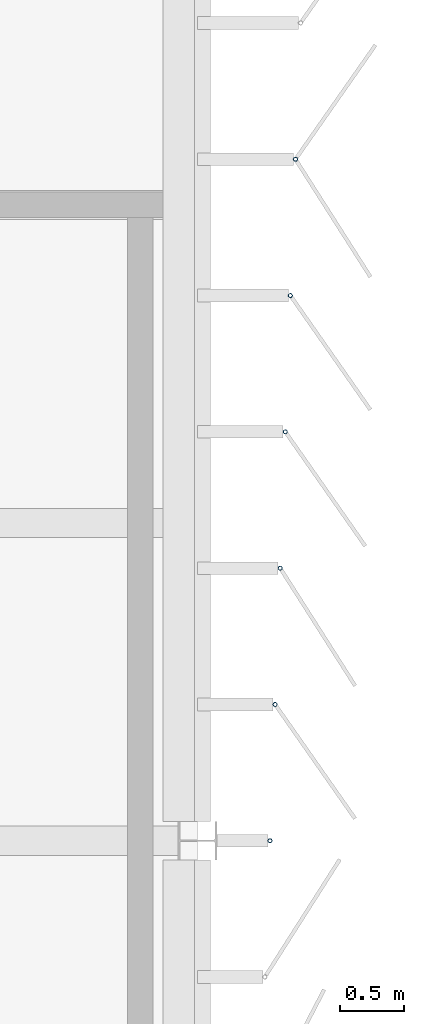
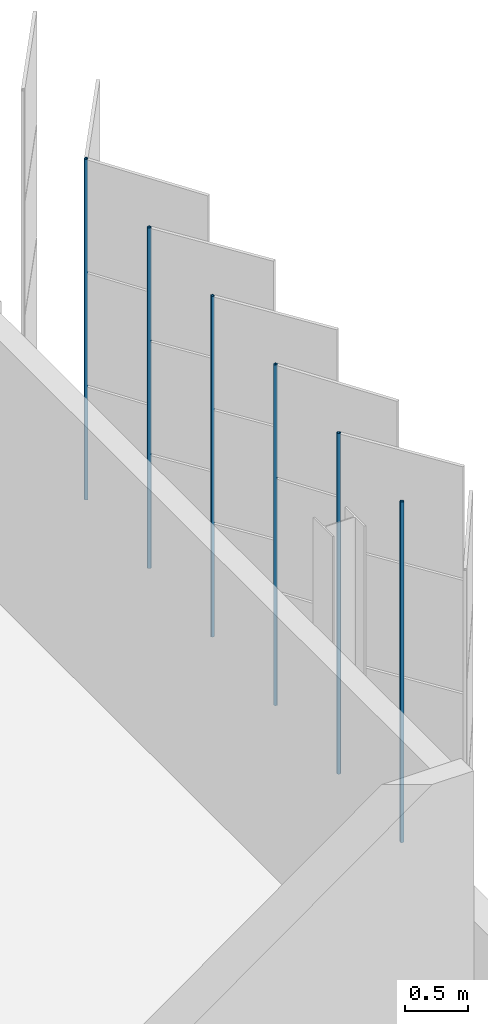
# One storey, part 120 of 199: 6 discrete accessories.
"""IFC4 building model written with IfcOpenShell, lengths in metres."""

from ifc_helpers import new_model, si_unit, direction, frame, origin, origin_2d, place, context, subcontext, project, spatial, hollow_circle, extrude, material, material_profile, profile_set, type_object, element, save


model = new_model("IFC4")

# Units and contexts
model_context = context("Model", 3, precision=1e-05, world=origin(), true_north=direction((0.0, 1.0)))
body_context = subcontext(model_context, "Body", "Model", "MODEL_VIEW")
ifc_project = project(units=[si_unit("LENGTHUNIT", "METRE"), si_unit("AREAUNIT", "SQUARE_METRE"), si_unit("VOLUMEUNIT", "CUBIC_METRE"), si_unit("PLANEANGLEUNIT", "RADIAN"), si_unit("MASSUNIT", "GRAM", prefix="KILO")], contexts=[model_context])

# Site, building, storey
site_placement = place(None, origin())
site = spatial("IfcSite", under=ifc_project, at=site_placement, CompositionType="ELEMENT")
building_placement = place(site_placement, origin())
building = spatial("IfcBuilding", under=site, at=building_placement, Name="Parallax Yard Mobility Hub", CompositionType="ELEMENT")
storey_placement = place(building_placement, frame((0.0, 0.0, 9.89990234375)))
storey = spatial("IfcBuildingStorey", under=building, at=storey_placement, Name="L03", CompositionType="ELEMENT", Elevation=9.89990234375)

# Discrete accessories
ifc_material = material(Name="Steel ASTM A500 Gr C, hot-dip galvanised", Category="steel")
ifc_material_profile = material_profile(ifc_material, hollow_circle(Radius=0.016845703125, WallThickness=0.003173828125, at=origin_2d()), Name="CHS 33.7x3.2")
ifc_profile_set = profile_set([ifc_material_profile], Name="Steel ASTM A500 Gr C, hot-dip galvanised")
discrete_accessory_type = type_object("IfcDiscreteAccessoryType", Name="Hinge post CHS 33.7x3.2", PredefinedType="BRACKET", material=ifc_profile_set)
for number, where, z_axis, x_axis, name in (
    (1, (225.5712890625, 82.500244140625, 0.0), (0.0, 0.0, 1.0), (1.0, 0.0, 0.0), "Hinge post bay 40.1 level L03"),
    (2, (225.611328125, 83.572021484375, 0.0), (0.0, 0.0, 1.0), (1.0, 0.0, 0.0), "Hinge post bay 40.2 level L03"),
    (3, (225.651611328125, 84.643798828125, 0.0), (0.0, 0.0, 1.0), (1.0, 0.0, 0.0), "Hinge post bay 40.3 level L03"),
    (4, (225.69140625, 85.715576171875, 0.0), (0.0, 0.0, 1.0), (1.0, 0.0, 0.0), "Hinge post bay 40.4 level L03"),
    (5, (225.731689453125, 86.787109375, 0.0), (0.0, 0.0, 1.0), (1.0, 0.0, 0.0), "Hinge post bay 40.5 level L03"),
    (6, (225.771728515625, 87.85888671875, 0.0), (0.0, 0.0, 1.0), (1.0, 0.0, 0.0), "Hinge post bay 40.6 level L03"),
):
    element("IfcDiscreteAccessory", number, at=place(storey_placement, frame(where, z_axis=z_axis, x_axis=x_axis)), inside=storey, type_object=discrete_accessory_type, Name=name, PredefinedType="BRACKET", context=body_context, shape_type="SweptSolid", body=[
        extrude(hollow_circle(Radius=0.016845703125, WallThickness=0.003173828125, at=origin_2d()), origin(), (0.0, 0.0, 1.0), 3.300048828125),
    ])

save(model, "model.ifc")
